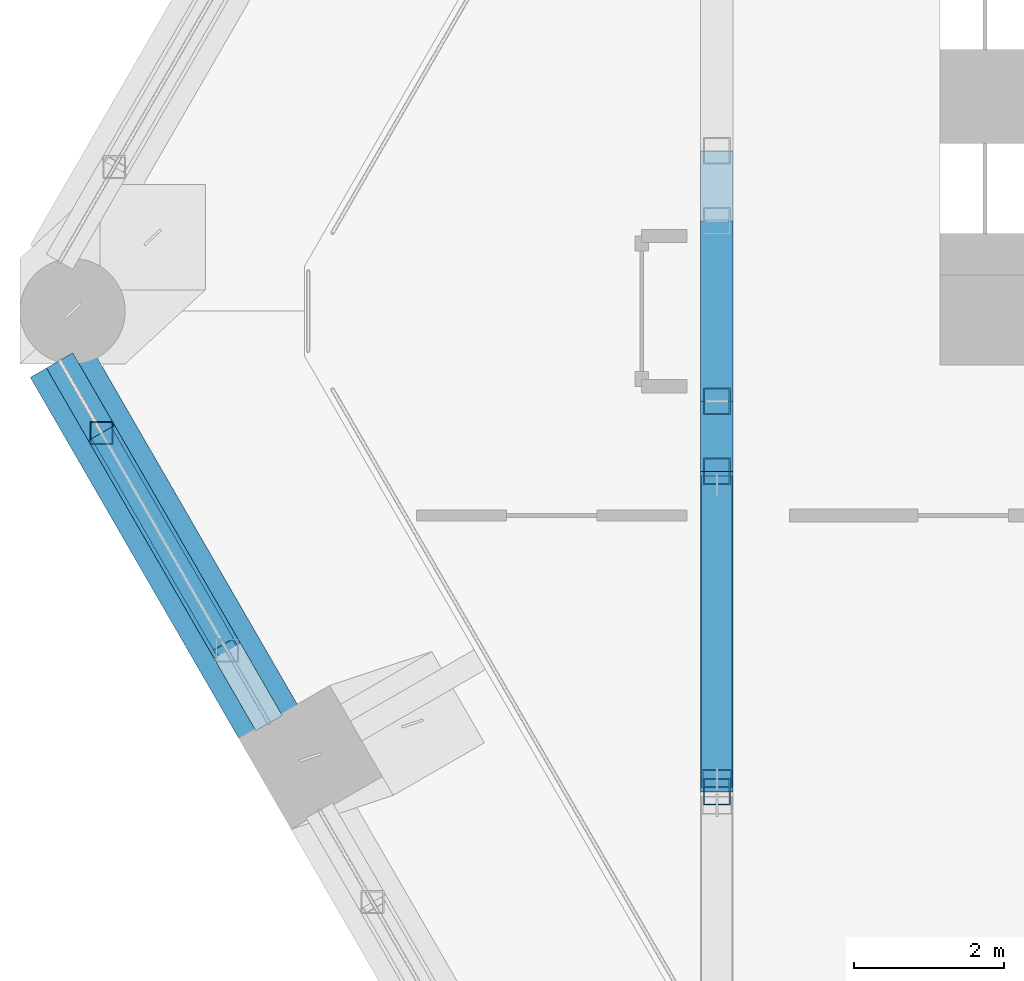
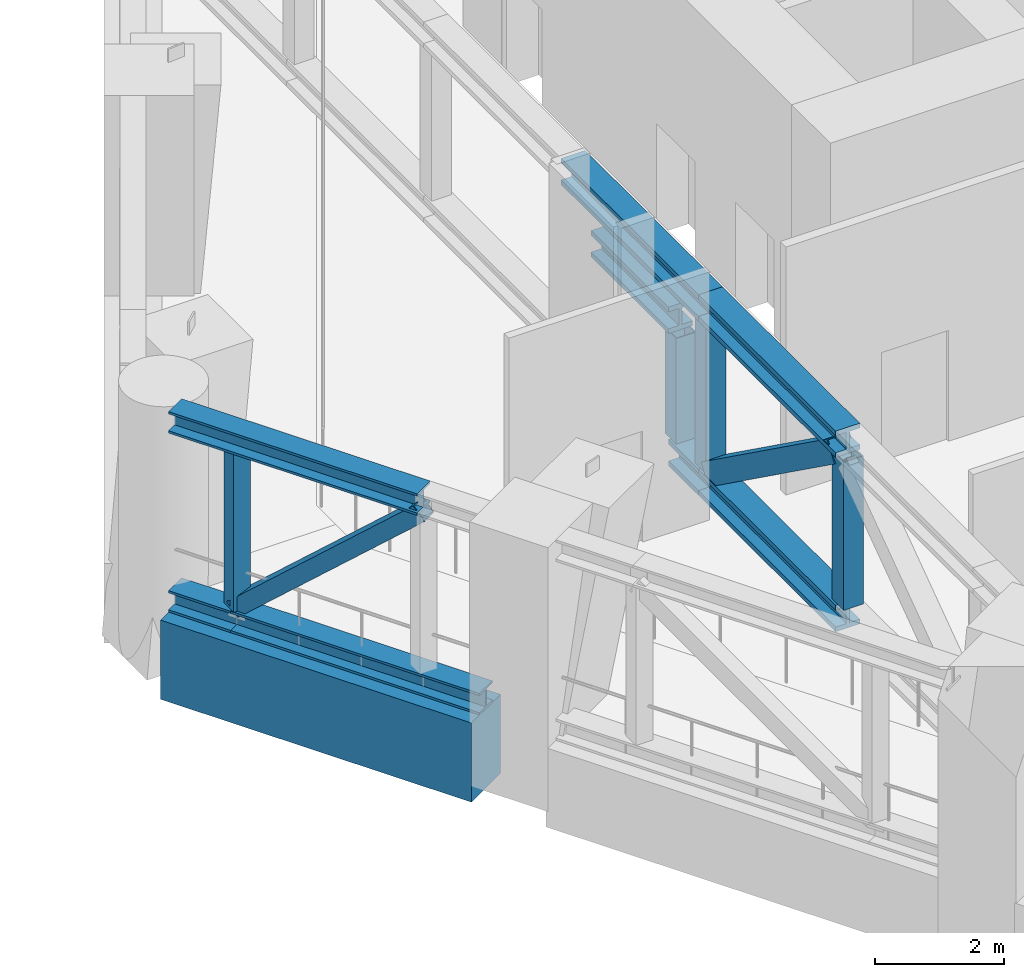
# One storey, part 3 of 20: 14 members, 1 beam.
"""IFC4 building model written with IfcOpenShell, lengths in metres."""

from ifc_helpers import new_model, si_unit, direction, frame, origin, origin_2d, place, context, subcontext, project, spatial, rectangle, hollow_rectangle, i_section, extrude, material, material_profile, profile_set, type_object, element, save


model = new_model("IFC4")

# Units and contexts
model_context = context("Model", 3, precision=1e-05, world=origin(), true_north=direction((0.0, 1.0)))
body_context = subcontext(model_context, "Body", "Model", "MODEL_VIEW")
ifc_project = project(units=[si_unit("LENGTHUNIT", "METRE"), si_unit("AREAUNIT", "SQUARE_METRE"), si_unit("VOLUMEUNIT", "CUBIC_METRE"), si_unit("PLANEANGLEUNIT", "RADIAN"), si_unit("MASSUNIT", "GRAM", prefix="KILO")], contexts=[model_context])

# Site, building, storey
site_placement = place(None, origin())
site = spatial("IfcSite", under=ifc_project, at=site_placement, CompositionType="ELEMENT")
building_placement = place(site_placement, origin())
building = spatial("IfcBuilding", under=site, at=building_placement, Name="Ostrander Bayou Hotel Tower", CompositionType="ELEMENT")
storey_placement = place(building_placement, frame((0.0, 0.0, 80.5)))
storey = spatial("IfcBuildingStorey", under=building, at=storey_placement, Name="L20", CompositionType="ELEMENT", Elevation=80.5)

# Members
ifc_material_1 = material(Name="Steel ASTM A992", Category="steel")
ifc_material_profile_1 = material_profile(ifc_material_1, i_section(OverallWidth=0.403564453125, OverallDepth=0.407470703125, WebThickness=0.027099609375, FlangeThickness=0.043701171875, at=origin_2d()))
ifc_profile_set_1 = profile_set([ifc_material_profile_1], Name="Steel ASTM A992")
member_type_1 = type_object("IfcMemberType", Name="BT1 belt truss chord W14x233", PredefinedType="CHORD", material=ifc_profile_set_1)
member_1_placement = place(storey_placement, frame((-23.707275390625, -1.637939453125, 0.20361328125), z_axis=(0.499981766188, -0.866035930824, 0.0), x_axis=(0.866035930824, 0.499981766188, 0.0)))
element("IfcMember", 1, at=member_1_placement, inside=storey, type_object=member_type_1, Name="BT1 L20 SW-1B1", PredefinedType="CHORD", context=body_context, shape_type="SweptSolid", body=[
    extrude(i_section(OverallWidth=0.403564453125, OverallDepth=0.407470703125, WebThickness=0.027099609375, FlangeThickness=0.043701171875, at=origin_2d()), origin(), (0.0, 0.0, 1.0), 1.11376953125),
])
for number, where, z_axis, x_axis, name in (
    (2, (-23.150390625, -2.6025390625, 0.20361328125), (0.500016504612, -0.866015874633, 0.0), (0.866015874633, 0.500016504612, 0.0), "BT1 L20 SW-1B2"),
    (3, (-23.707275390625, -1.637939453125, 3.59619140625), (0.500040230979, -0.866002175172, 0.0), (0.866002175172, 0.500040230979, 0.0), "BT1 L20 SW-1T1"),
):
    element("IfcMember", number, at=place(storey_placement, frame(where, z_axis=z_axis, x_axis=x_axis)), inside=storey, type_object=member_type_1, Name=name, PredefinedType="CHORD", context=body_context, shape_type="SweptSolid", body=[
        extrude(i_section(OverallWidth=0.403564453125, OverallDepth=0.407470703125, WebThickness=0.027099609375, FlangeThickness=0.043701171875, at=origin_2d()), origin(), (0.0, 0.0, 1.0), 4.455810546875),
    ])
ifc_material_2 = material(Name="Steel ASTM A572 Gr 50", Category="steel")
ifc_material_profile_2 = material_profile(ifc_material_2, hollow_rectangle(XDim=0.3046875, YDim=0.3046875, WallThickness=0.017822265625, at=origin_2d()))
ifc_profile_set_2 = profile_set([ifc_material_profile_2], Name="Steel ASTM A572 Gr 50")
member_type_2 = type_object("IfcMemberType", Name="BT2 belt truss diagonal box 12 x 12 x 3/4", PredefinedType="BRACE", material=ifc_profile_set_2)
member_2_placement = place(storey_placement, frame((-23.150390625, -2.6025390625, 0.407470703125), z_axis=(0.372942367432, -0.645852275169, 0.666174773789), x_axis=(0.865990923945, 0.500059716079, 0.0)))
element("IfcMember", 4, at=member_2_placement, inside=storey, type_object=member_type_2, Name="BT2 L20 SW-1D", PredefinedType="BRACE", context=body_context, shape_type="SweptSolid", body=[
    extrude(hollow_rectangle(XDim=0.3046875, YDim=0.3046875, WallThickness=0.017822265625, at=origin_2d()), origin(), (0.0, 0.0, 1.0), 4.48095703125),
])
ifc_material_3 = material(Name="Steel ASTM A500 Gr C", Category="steel")
ifc_material_profile_3 = material_profile(ifc_material_3, hollow_rectangle(XDim=0.3046875, YDim=0.3046875, WallThickness=0.0146484375, at=origin_2d()))
ifc_profile_set_3 = profile_set([ifc_material_profile_3], Name="Steel ASTM A500 Gr C")
member_type_3 = type_object("IfcMemberType", Name="BT7 belt truss vertical HSS12x12x5/8", PredefinedType="POST", material=ifc_profile_set_3)
member_3_placement = place(storey_placement, frame((-23.150390625, -2.6025390625, 0.407470703125), z_axis=(0.0, 0.0, 1.0), x_axis=(1.0, 0.0, 0.0)))
element("IfcMember", 5, at=member_3_placement, inside=storey, type_object=member_type_3, Name="BT7 L20 SW-1V1", PredefinedType="POST", context=body_context, shape_type="SweptSolid", body=[
    extrude(hollow_rectangle(XDim=0.3046875, YDim=0.3046875, WallThickness=0.0146484375, at=origin_2d()), origin(), (0.0, 0.0, 1.0), 2.985107421875),
])

# Beam
ifc_material_4 = material(Name="Concrete f'c 70 MPa", Category="concrete")
ifc_material_profile_4 = material_profile(ifc_material_4, rectangle(XDim=0.89990234375, YDim=1.5, at=origin_2d()))
ifc_profile_set_4 = profile_set([ifc_material_profile_4], Name="Concrete f'c 70 MPa")
beam_type = type_object("IfcBeamType", Name="SPB1 belt spandrel beam 900 x 1500 mm f'c 70 MPa", PredefinedType="SPANDREL", material=ifc_profile_set_4)
beam_placement = place(storey_placement, frame((-23.707275390625, -1.637939453125, -0.75), z_axis=(0.500009557824, -0.866019885502, 0.0), x_axis=(0.866019885502, 0.500009557824, 0.0)))
element("IfcBeam", 6, at=beam_placement, inside=storey, type_object=beam_type, Name="SP1 L20 SW-1", PredefinedType="SPANDREL", context=body_context, shape_type="SweptSolid", body=[
    extrude(rectangle(XDim=0.89990234375, YDim=1.5, at=origin_2d()), origin(), (0.0, 0.0, 1.0), 5.56982421875),
])

# Members
ifc_material_5 = material(Name="Steel ASTM A992", Category="steel")
ifc_material_profile_5 = material_profile(ifc_material_5, i_section(OverallWidth=0.43212890625, OverallDepth=0.497802734375, WebThickness=0.0556640625, FlangeThickness=0.0888671875, at=origin_2d()))
ifc_profile_set_5 = profile_set([ifc_material_profile_5], Name="Steel ASTM A992")
member_type_4 = type_object("IfcMemberType", Name="TT1 through-truss chord W14x500", PredefinedType="CHORD", material=ifc_profile_set_5)
member_4_placement = place(storey_placement, frame((-14.965087890625, 0.218017578125, 2.748779296875), z_axis=(0.0, -1.0, 0.0), x_axis=(1.0, 0.0, 0.0)))
element("IfcMember", 7, at=member_4_placement, inside=storey, type_object=member_type_4, Name="TT1 SB1A B8 (over the passage)", PredefinedType="CHORD", context=body_context, shape_type="SweptSolid", body=[
    extrude(i_section(OverallWidth=0.43212890625, OverallDepth=0.497802734375, WebThickness=0.0556640625, FlangeThickness=0.0888671875, at=origin_2d()), origin(), (0.0, 0.0, 1.0), 2.39990234375),
])
member_5_placement = place(storey_placement, frame((-14.965087890625, -2.181884765625, 0.248779296875), z_axis=(0.0, -1.0, 0.0), x_axis=(1.0, 0.0, 0.0)))
element("IfcMember", 8, at=member_5_placement, inside=storey, type_object=member_type_4, Name="TT1 SB1A B8", PredefinedType="CHORD", context=body_context, shape_type="SweptSolid", body=[
    extrude(i_section(OverallWidth=0.43212890625, OverallDepth=0.497802734375, WebThickness=0.0556640625, FlangeThickness=0.0888671875, at=origin_2d()), origin(), (0.0, 0.0, 1.0), 0.93115234375),
])
for number, where, z_axis, x_axis, name in (
    (9, (-14.965087890625, 1.1494140625, 3.551025390625), (0.0, -1.0, 0.0), (1.0, 0.0, 0.0), "TT1 SB1A T8"),
    (10, (-14.965087890625, -3.113037109375, 0.248779296875), (0.0, -1.0, 0.0), (1.0, 0.0, 0.0), "TT1 SB1A B9"),
    (11, (-14.965087890625, -3.113037109375, 3.551025390625), (0.0, -1.0, 0.0), (1.0, 0.0, 0.0), "TT1 SB1A T9"),
):
    element("IfcMember", number, at=place(storey_placement, frame(where, z_axis=z_axis, x_axis=x_axis)), inside=storey, type_object=member_type_4, Name=name, PredefinedType="CHORD", context=body_context, shape_type="SweptSolid", body=[
        extrude(i_section(OverallWidth=0.43212890625, OverallDepth=0.497802734375, WebThickness=0.0556640625, FlangeThickness=0.0888671875, at=origin_2d()), origin(), (0.0, 0.0, 1.0), 4.262451171875),
    ])
ifc_material_6 = material(Name="Steel ASTM A500 Gr C", Category="steel")
ifc_material_profile_6 = material_profile(ifc_material_6, hollow_rectangle(XDim=0.355712890625, YDim=0.355712890625, WallThickness=0.0146484375, at=origin_2d()))
ifc_profile_set_6 = profile_set([ifc_material_profile_6], Name="Steel ASTM A500 Gr C")
member_type_5 = type_object("IfcMemberType", Name="TT2 through-truss post HSS14x14x5/8", PredefinedType="POST", material=ifc_profile_set_6)
for number, where, z_axis, x_axis, name in (
    (12, (-14.965087890625, -3.113037109375, 0.497802734375), (0.0, 0.0, 1.0), (1.0, 0.0, 0.0), "TT2 SB1A P9"),
    (13, (-14.965087890625, -7.37548828125, 0.497802734375), (0.0, 0.0, 1.0), (1.0, 0.0, 0.0), "TT2 SB1A P10"),
):
    element("IfcMember", number, at=place(storey_placement, frame(where, z_axis=z_axis, x_axis=x_axis)), inside=storey, type_object=member_type_5, Name=name, PredefinedType="POST", context=body_context, shape_type="SweptSolid", body=[
        extrude(hollow_rectangle(XDim=0.355712890625, YDim=0.355712890625, WallThickness=0.0146484375, at=origin_2d()), origin(), (0.0, 0.0, 1.0), 2.804443359375),
    ])
member_6_placement = place(storey_placement, frame((-14.965087890625, -2.181884765625, 0.497802734375), z_axis=(0.0, 0.0, 1.0), x_axis=(1.0, 0.0, 0.0)))
element("IfcMember", 14, at=member_6_placement, inside=storey, type_object=member_type_5, Name="TT2 SB1A KN8b", PredefinedType="POST", context=body_context, shape_type="SweptSolid", body=[
    extrude(hollow_rectangle(XDim=0.355712890625, YDim=0.355712890625, WallThickness=0.0146484375, at=origin_2d()), origin(), (0.0, 0.0, 1.0), 2.002197265625),
])
ifc_material_7 = material(Name="Steel ASTM A572 Gr 50", Category="steel")
ifc_material_profile_7 = material_profile(ifc_material_7, hollow_rectangle(XDim=0.406494140625, YDim=0.406494140625, WallThickness=0.017822265625, at=origin_2d()))
ifc_profile_set_7 = profile_set([ifc_material_profile_7], Name="Steel ASTM A572 Gr 50")
member_type_6 = type_object("IfcMemberType", Name="TT3 through-truss diagonal box 16 x 16 x 3/4", PredefinedType="BRACE", material=ifc_profile_set_7)
member_7_placement = place(storey_placement, frame((-14.965087890625, -3.291015625, 0.497802734375), z_axis=(0.0, -0.812362582887, 0.583152667768), x_axis=(1.0, 0.0, 0.0)))
element("IfcMember", 15, at=member_7_placement, inside=storey, type_object=member_type_6, Name="TT3 SB1A D9", PredefinedType="BRACE", context=body_context, shape_type="SweptSolid", body=[
    extrude(hollow_rectangle(XDim=0.406494140625, YDim=0.406494140625, WallThickness=0.017822265625, at=origin_2d()), origin(), (0.0, 0.0, 1.0), 4.80908203125),
])

save(model, "model.ifc")
